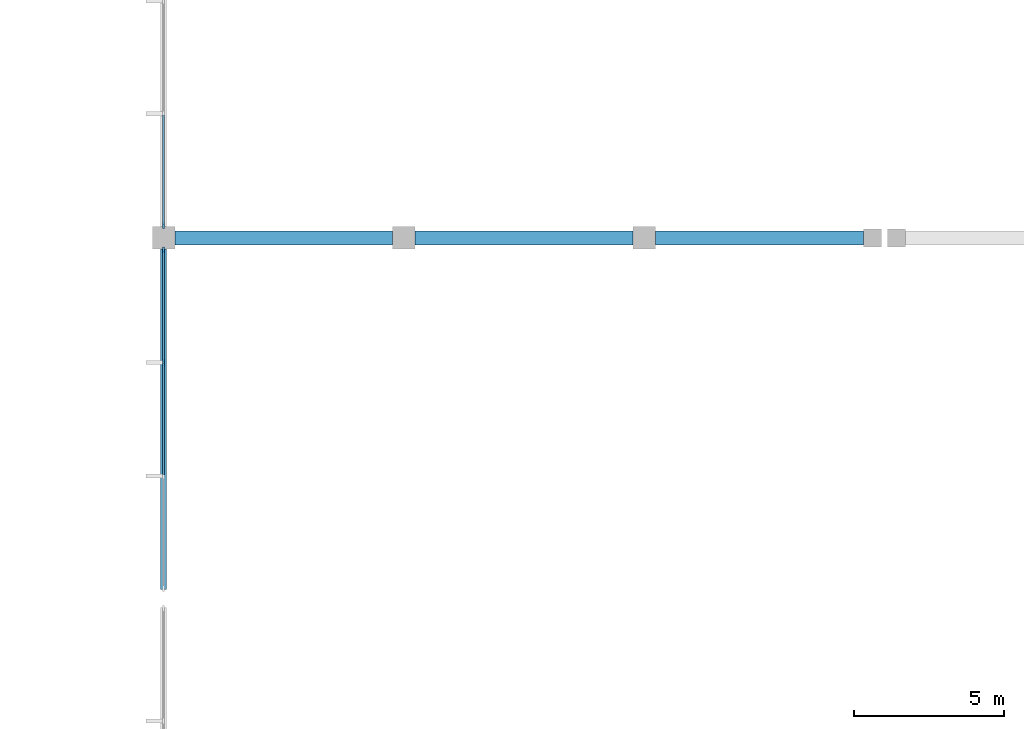
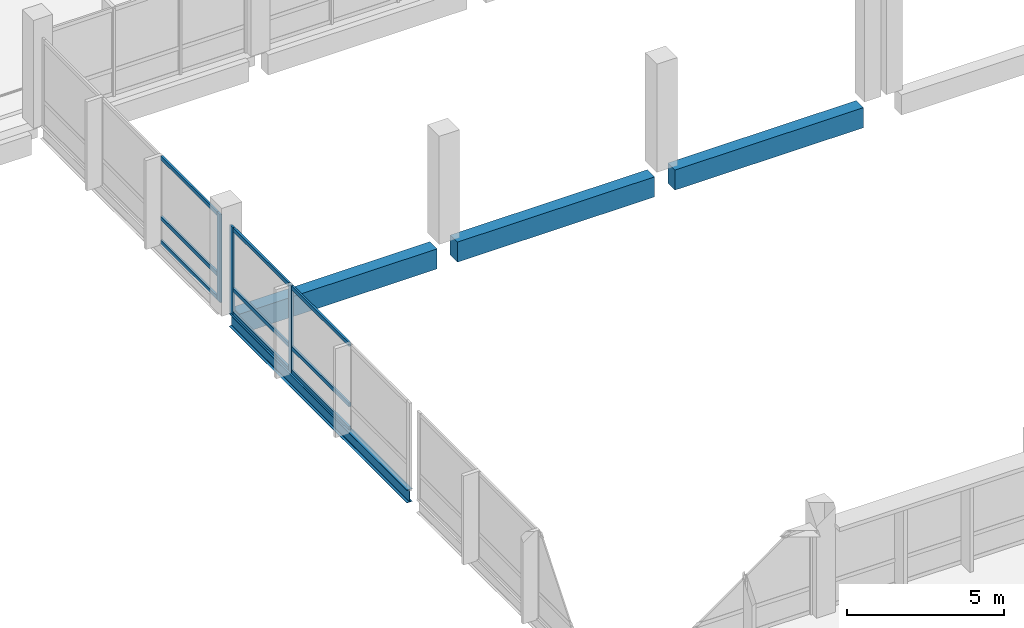
# One storey, part 17 of 70: 12 members, 4 beams, 2 elements without a shape of their own.
"""IFC4 building model written with IfcOpenShell, lengths in metres."""

from ifc_helpers import new_model, si_unit, direction, frame, origin, origin_2d, place, context, subcontext, project, spatial, rectangle, i_section, extrude, material, material_profile, profile_set, type_object, element, aggregate, save


model = new_model("IFC4")

# Units and contexts
model_context = context("Model", 3, precision=1e-05, world=origin(), true_north=direction((0.0, 1.0)))
body_context = subcontext(model_context, "Body", "Model", "MODEL_VIEW")
ifc_project = project(units=[si_unit("LENGTHUNIT", "METRE"), si_unit("AREAUNIT", "SQUARE_METRE"), si_unit("VOLUMEUNIT", "CUBIC_METRE"), si_unit("PLANEANGLEUNIT", "RADIAN"), si_unit("MASSUNIT", "GRAM", prefix="KILO"), si_unit("THERMODYNAMICTEMPERATUREUNIT", "KELVIN"), si_unit("POWERUNIT", "WATT")], contexts=[model_context])

# Site, building, storey
site_placement = place(None, origin())
site = spatial("IfcSite", under=ifc_project, at=site_placement, CompositionType="ELEMENT")
building_placement = place(site_placement, origin())
building = spatial("IfcBuilding", under=site, at=building_placement, Name="Kronsvod Quay Wholesale Market", CompositionType="ELEMENT")
storey_placement = place(building_placement, frame((0.0, 0.0, 9.0)))
storey = spatial("IfcBuildingStorey", under=building, at=storey_placement, Name="L02", CompositionType="ELEMENT", Elevation=9.0)

# Beams
ifc_material_1 = material(Name="Precast concrete C40/50", Category="concrete")
ifc_material_profile_1 = material_profile(ifc_material_1, rectangle(XDim=0.4599609375, YDim=0.780029296875, at=origin_2d()), Name="PB-03")
ifc_profile_set_1 = profile_set([ifc_material_profile_1], Name="Precast concrete C40/50")
beam_type_1 = type_object("IfcBeamType", Name="Beam_PCB460x780", PredefinedType="BEAM", material=ifc_profile_set_1)
for number, where, z_axis, x_axis, name in (
    (1, (104.375, 78.0, -0.64990234375), (1.0, 0.0, 0.0), (0.0, 1.0, 0.0), "BMX-L02-1040-780"),
    (2, (112.375, 78.0, -0.64990234375), (1.0, 0.0, 0.0), (0.0, 1.0, 0.0), "BMX-L02-1120-780"),
):
    element("IfcBeam", number, at=place(storey_placement, frame(where, z_axis=z_axis, x_axis=x_axis)), inside=storey, type_object=beam_type_1, Name=name, PredefinedType="BEAM", context=body_context, shape_type="SweptSolid", body=[
        extrude(rectangle(XDim=0.4599609375, YDim=0.780029296875, at=origin_2d()), origin(), (0.0, 0.0, 1.0), 7.25),
    ])
beam_1_placement = place(storey_placement, frame((120.375, 78.0, -0.64990234375), z_axis=(1.0, 0.0, 0.0), x_axis=(0.0, 1.0, 0.0)))
element("IfcBeam", 3, at=beam_1_placement, inside=storey, type_object=beam_type_1, Name="BMX-L02-1200-780", PredefinedType="BEAM", context=body_context, shape_type="SweptSolid", body=[
    extrude(rectangle(XDim=0.4599609375, YDim=0.780029296875, at=origin_2d()), origin(), (0.0, 0.0, 1.0), 6.925048828125),
])
ifc_material_2 = material(Name="Steel S355", Category="steel")
ifc_material_profile_2 = material_profile(ifc_material_2, i_section(OverallWidth=0.198974609375, OverallDepth=0.49609375, WebThickness=0.009033203125, FlangeThickness=0.013916015625, FilletRadius=0.02001953125, at=origin_2d()), Name="50B1")
ifc_profile_set_2 = profile_set([ifc_material_profile_2], Name="Steel S355")
beam_type_2 = type_object("IfcBeamType", Name="Girder_Steel50B1", PredefinedType="T_BEAM", material=ifc_profile_set_2)
beam_2_placement = place(storey_placement, frame((104.0, 66.300048828125, -0.22802734375), z_axis=(0.0, 1.0, 0.0), x_axis=(-1.0, 0.0, 0.0)))
element("IfcBeam", 4, at=beam_2_placement, inside=storey, type_object=beam_type_2, Name="BMY-L02-1040-660", PredefinedType="T_BEAM", context=body_context, shape_type="SweptSolid", body=[
    extrude(i_section(OverallWidth=0.198974609375, OverallDepth=0.49609375, WebThickness=0.009033203125, FlangeThickness=0.013916015625, FilletRadius=0.02001953125, at=origin_2d()), origin(), (0.0, 0.0, 1.0), 11.324951171875),
])

# Curtain wall, members
ifc_material_3 = material(Name="Thermally broken aluminium and triple low-E glazing", Category="aluminium")
curtain_wall_type = type_object("IfcCurtainWallType", Name="CW_Court120x35", PredefinedType="NOTDEFINED", material=ifc_material_3)
curtain_wall_1_placement = place(storey_placement, origin())
curtain_wall_1 = element("IfcCurtainWall", 5, at=curtain_wall_1_placement, inside=storey, type_object=curtain_wall_type, Name="CWGY-L02-1040-660", PredefinedType="NOTDEFINED")
ifc_material_4 = material(Name="Anodised aluminium", Category="aluminium")
ifc_material_profile_3 = material_profile(ifc_material_4, rectangle(XDim=0.074951171875, YDim=0.199951171875, at=origin_2d()), Name="ALUM75x200")
ifc_profile_set_3 = profile_set([ifc_material_profile_3], Name="Anodised aluminium")
member_type_1 = type_object("IfcMemberType", Name="Mullion_ALU75x200", PredefinedType="MULLION", material=ifc_profile_set_3)
member_1_placement = place(storey_placement, frame((104.0, 77.592529296875, 0.0), z_axis=(0.0, 0.0, 1.0), x_axis=(1.0, 0.0, 0.0)))
member_1 = element("IfcMember", 6, at=member_1_placement, type_object=member_type_1, Name="CWGY-L02-1040-660-M1", PredefinedType="MULLION", context=body_context, shape_type="SweptSolid", body=[
    extrude(rectangle(XDim=0.074951171875, YDim=0.199951171875, at=origin_2d()), origin(), (0.0, 0.0, 1.0), 3.419921875),
])
member_2_placement = place(storey_placement, frame((104.0, 73.8515625, 0.0), z_axis=(0.0, 0.0, 1.0), x_axis=(1.0, 0.0, 0.0)))
member_2 = element("IfcMember", 7, at=member_2_placement, type_object=member_type_1, Name="CWGY-L02-1040-660-M2", PredefinedType="MULLION", context=body_context, shape_type="SweptSolid", body=[
    extrude(rectangle(XDim=0.074951171875, YDim=0.199951171875, at=origin_2d()), origin(), (0.0, 0.0, 1.0), 3.419921875),
])

# Curtain wall, member
curtain_wall_2_placement = place(storey_placement, origin())
curtain_wall_2 = element("IfcCurtainWall", 8, at=curtain_wall_2_placement, inside=storey, type_object=curtain_wall_type, Name="CWGY-L02-1040-780", PredefinedType="NOTDEFINED")
member_3_placement = place(storey_placement, frame((104.0, 78.407470703125, 0.0), z_axis=(0.0, 0.0, 1.0), x_axis=(1.0, 0.0, 0.0)))
member_3 = element("IfcMember", 9, at=member_3_placement, type_object=member_type_1, Name="CWGY-L02-1040-780-M4", PredefinedType="MULLION", context=body_context, shape_type="SweptSolid", body=[
    extrude(rectangle(XDim=0.074951171875, YDim=0.199951171875, at=origin_2d()), origin(), (0.0, 0.0, 1.0), 3.419921875),
])

# Member
ifc_material_5 = material(Name="Anodised aluminium", Category="aluminium")
ifc_material_profile_4 = material_profile(ifc_material_5, rectangle(XDim=0.074951171875, YDim=0.14990234375, at=origin_2d()), Name="ALUT75x150")
ifc_profile_set_4 = profile_set([ifc_material_profile_4], Name="Anodised aluminium")
member_type_2 = type_object("IfcMemberType", Name="Transom_ALU75x150", PredefinedType="USERDEFINED", material=ifc_profile_set_4)
member_4_placement = place(storey_placement, frame((104.0, 77.554931640625, 0.074951171875), z_axis=(0.0, -1.0, 0.0), x_axis=(1.0, 0.0, 0.0)))
member_4 = element("IfcMember", 10, at=member_4_placement, type_object=member_type_2, Name="CWGY-L02-1040-660-T1B1", ObjectType="TRANSOM", PredefinedType="USERDEFINED", context=body_context, shape_type="SweptSolid", body=[
    extrude(rectangle(XDim=0.074951171875, YDim=0.14990234375, at=origin_2d()), origin(), (0.0, 0.0, 1.0), 3.665771484375),
])

member_5_placement = place(storey_placement, frame((104.0, 73.814208984375, 0.074951171875), z_axis=(0.0, -1.0, 0.0), x_axis=(1.0, 0.0, 0.0)))
member_5 = element("IfcMember", 11, at=member_5_placement, type_object=member_type_2, Name="CWGY-L02-1040-660-T1B2", ObjectType="TRANSOM", PredefinedType="USERDEFINED", context=body_context, shape_type="SweptSolid", body=[
    extrude(rectangle(XDim=0.074951171875, YDim=0.14990234375, at=origin_2d()), origin(), (0.0, 0.0, 1.0), 3.703369140625),
])

member_6_placement = place(storey_placement, frame((104.0, 77.554931640625, 1.0), z_axis=(0.0, -1.0, 0.0), x_axis=(1.0, 0.0, 0.0)))
member_6 = element("IfcMember", 12, at=member_6_placement, type_object=member_type_2, Name="CWGY-L02-1040-660-T2B1", ObjectType="TRANSOM", PredefinedType="USERDEFINED", context=body_context, shape_type="SweptSolid", body=[
    extrude(rectangle(XDim=0.074951171875, YDim=0.14990234375, at=origin_2d()), origin(), (0.0, 0.0, 1.0), 3.665771484375),
])

member_7_placement = place(storey_placement, frame((104.0, 73.814208984375, 1.0), z_axis=(0.0, -1.0, 0.0), x_axis=(1.0, 0.0, 0.0)))
member_7 = element("IfcMember", 13, at=member_7_placement, type_object=member_type_2, Name="CWGY-L02-1040-660-T2B2", ObjectType="TRANSOM", PredefinedType="USERDEFINED", context=body_context, shape_type="SweptSolid", body=[
    extrude(rectangle(XDim=0.074951171875, YDim=0.14990234375, at=origin_2d()), origin(), (0.0, 0.0, 1.0), 3.703369140625),
])

member_8_placement = place(storey_placement, frame((104.0, 77.554931640625, 3.344970703125), z_axis=(0.0, -1.0, 0.0), x_axis=(1.0, 0.0, 0.0)))
member_8 = element("IfcMember", 14, at=member_8_placement, type_object=member_type_2, Name="CWGY-L02-1040-660-T3B1", ObjectType="TRANSOM", PredefinedType="USERDEFINED", context=body_context, shape_type="SweptSolid", body=[
    extrude(rectangle(XDim=0.074951171875, YDim=0.14990234375, at=origin_2d()), origin(), (0.0, 0.0, 1.0), 3.665771484375),
])

member_9_placement = place(storey_placement, frame((104.0, 73.814208984375, 3.344970703125), z_axis=(0.0, -1.0, 0.0), x_axis=(1.0, 0.0, 0.0)))
member_9 = element("IfcMember", 15, at=member_9_placement, type_object=member_type_2, Name="CWGY-L02-1040-660-T3B2", ObjectType="TRANSOM", PredefinedType="USERDEFINED", context=body_context, shape_type="SweptSolid", body=[
    extrude(rectangle(XDim=0.074951171875, YDim=0.14990234375, at=origin_2d()), origin(), (0.0, 0.0, 1.0), 3.703369140625),
])

aggregate(curtain_wall_1, [member_1, member_2, member_4, member_5, member_6, member_7, member_8, member_9])

member_10_placement = place(storey_placement, frame((104.0, 82.09423828125, 0.074951171875), z_axis=(0.0, -1.0, 0.0), x_axis=(1.0, 0.0, 0.0)))
member_10 = element("IfcMember", 16, at=member_10_placement, type_object=member_type_2, Name="CWGY-L02-1040-780-T1B3", ObjectType="TRANSOM", PredefinedType="USERDEFINED", context=body_context, shape_type="SweptSolid", body=[
    extrude(rectangle(XDim=0.074951171875, YDim=0.14990234375, at=origin_2d()), origin(), (0.0, 0.0, 1.0), 3.649169921875),
])

member_11_placement = place(storey_placement, frame((104.0, 82.09423828125, 1.0), z_axis=(0.0, -1.0, 0.0), x_axis=(1.0, 0.0, 0.0)))
member_11 = element("IfcMember", 17, at=member_11_placement, type_object=member_type_2, Name="CWGY-L02-1040-780-T2B3", ObjectType="TRANSOM", PredefinedType="USERDEFINED", context=body_context, shape_type="SweptSolid", body=[
    extrude(rectangle(XDim=0.074951171875, YDim=0.14990234375, at=origin_2d()), origin(), (0.0, 0.0, 1.0), 3.649169921875),
])

member_12_placement = place(storey_placement, frame((104.0, 82.09423828125, 3.344970703125), z_axis=(0.0, -1.0, 0.0), x_axis=(1.0, 0.0, 0.0)))
member_12 = element("IfcMember", 18, at=member_12_placement, type_object=member_type_2, Name="CWGY-L02-1040-780-T3B3", ObjectType="TRANSOM", PredefinedType="USERDEFINED", context=body_context, shape_type="SweptSolid", body=[
    extrude(rectangle(XDim=0.074951171875, YDim=0.14990234375, at=origin_2d()), origin(), (0.0, 0.0, 1.0), 3.649169921875),
])

aggregate(curtain_wall_2, [member_3, member_10, member_11, member_12])

save(model, "model.ifc")
